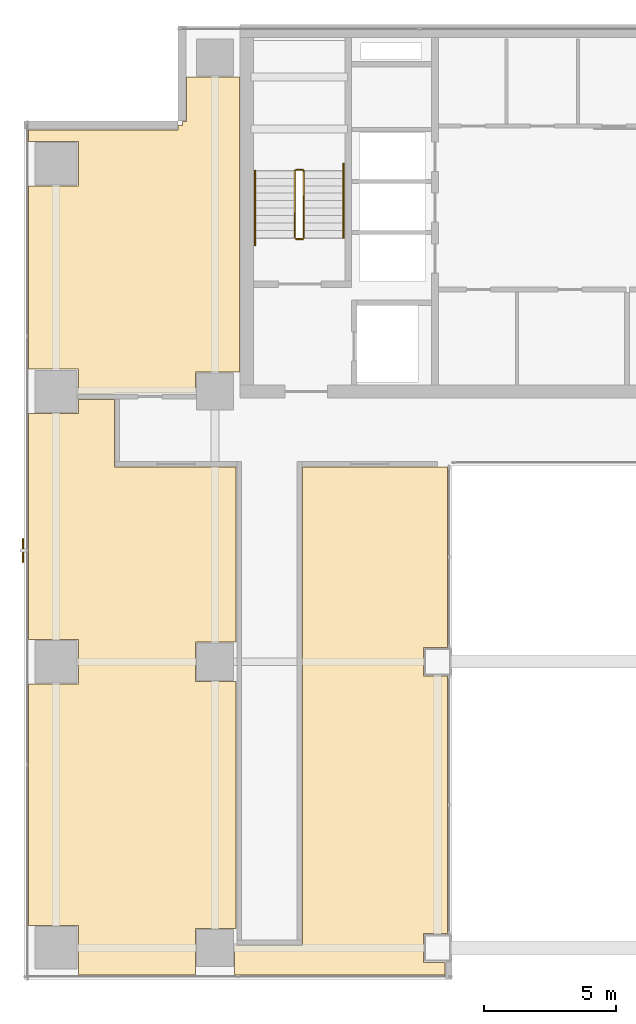
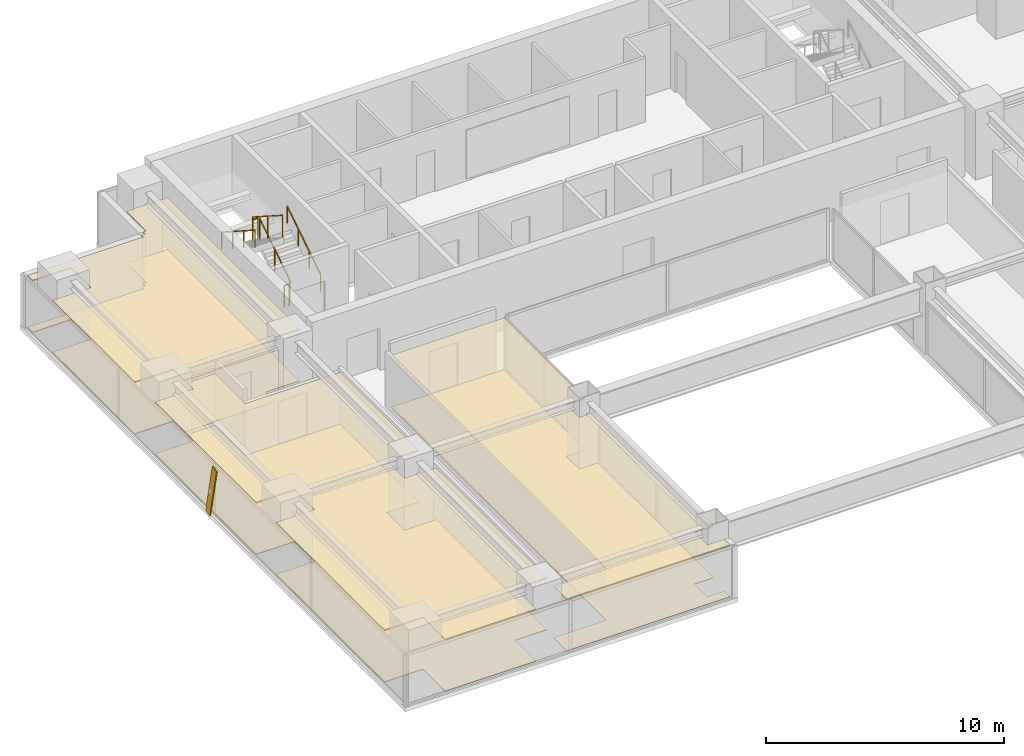
# One storey, part 29 of 32: 6 coverings, 6 railings, 1 shading device.
"""IFC4 building model written with IfcOpenShell, lengths in metres."""

import ifcopenshell
import ifcopenshell.guid

model = None  # the IFC model being written
_history = None  # IfcOwnerHistory: only IFC2X3 demands one
_inside = {}  # id of a spatial element -> (the spatial element, [elements in it])
_under = {}  # id of a project, library or spatial element -> (it, [spatial elements below it])
_declared = {}  # id of a project -> (the project, [libraries it declares])
_typed = {}  # id of a type object -> (the type object, [elements of that type])
_made_of = {}  # id of a material, layer set ... -> (it, [elements and type objects made of it])


def new_model(schema):
    """Start an empty IFC model of exactly this schema.

    Asked for "IFC4X3", IfcOpenShell would pick the latest addendum, in which some entities
    have other attributes; the version numbers below select the first issue.
    IFC2X3 requires an IfcOwnerHistory on every rooted entity: one is made here for all.
    """
    global model, _history
    if schema == "IFC4X3":
        model = ifcopenshell.file(schema_version=(4, 3, 0, 0))
    else:
        model = ifcopenshell.file(schema=schema)
    _inside.clear()
    _under.clear()
    _declared.clear()
    _typed.clear()
    _made_of.clear()
    _history = None
    if model.schema == "IFC2X3":
        org = make("IfcOrganization", Name="unknown")
        user = make(
            "IfcPersonAndOrganization",
            ThePerson=make("IfcPerson", FamilyName="unknown"),
            TheOrganization=org,
        )
        app = make(
            "IfcApplication",
            ApplicationDeveloper=org,
            Version="unknown",
            ApplicationFullName="unknown",
            ApplicationIdentifier="unknown",
        )
        _history = make(
            "IfcOwnerHistory",
            OwningUser=user,
            OwningApplication=app,
            ChangeAction="ADDED",
            CreationDate=0,
        )
    return model


def make(cls, **values):
    """One entity of the class cls with the attributes given. An attribute that is None is left unset."""
    return model.create_entity(
        cls, **{name: value for name, value in values.items() if value is not None}
    )


def rooted(cls, **values):
    """An entity with a GlobalId (a new one), such as an element, a storey or a relation."""
    return make(cls, GlobalId=ifcopenshell.guid.new(), OwnerHistory=_history, **values)


def si_unit(unit_type, name, prefix=None):
    """IfcSIUnit, for example si_unit("LENGTHUNIT", "METRE", prefix="MILLI")."""
    return make("IfcSIUnit", UnitType=unit_type, Prefix=prefix, Name=name)


def assignment(units):
    """IfcUnitAssignment: the units of a project."""
    return None if units is None else make("IfcUnitAssignment", Units=units)


def point(xyz):
    """IfcCartesianPoint."""
    return None if xyz is None else make("IfcCartesianPoint", Coordinates=xyz)


def direction(xyz):
    """IfcDirection."""
    return None if xyz is None else make("IfcDirection", DirectionRatios=xyz)


def frame(location, z_axis=None, x_axis=None):
    """IfcAxis2Placement3D, a coordinate frame: its origin and axes. An axis left out is left unset."""
    return make(
        "IfcAxis2Placement3D",
        Location=point(location),
        Axis=direction(z_axis),
        RefDirection=direction(x_axis),
    )


def frame_2d(location, x_axis=None):
    """IfcAxis2Placement2D, a coordinate frame in the plane: its origin and x axis."""
    return make(
        "IfcAxis2Placement2D", Location=point(location), RefDirection=direction(x_axis)
    )


def origin():
    """The frame at (0, 0, 0) with its axes left unset."""
    return frame((0.0, 0.0, 0.0))


def origin_2d():
    """The frame at (0, 0) in the plane with its x axis left unset."""
    return frame_2d((0.0, 0.0))


def place(relative_to, where):
    """IfcLocalPlacement: puts the frame where relative to a parent placement (None: the world)."""
    return make(
        "IfcLocalPlacement", PlacementRelTo=relative_to, RelativePlacement=where
    )


def context(
    kind, dimensions, precision=None, world=None, true_north=None, identifier=None
):
    """IfcGeometricRepresentationContext, for example the 3D "Model" context."""
    return make(
        "IfcGeometricRepresentationContext",
        ContextIdentifier=identifier,
        ContextType=kind,
        CoordinateSpaceDimension=dimensions,
        Precision=precision,
        WorldCoordinateSystem=world,
        TrueNorth=true_north,
    )


def subcontext(parent, identifier, kind, view, scale=None):
    """IfcGeometricRepresentationSubContext, for example "Body" below "Model"."""
    return make(
        "IfcGeometricRepresentationSubContext",
        ContextIdentifier=identifier,
        ContextType=kind,
        ParentContext=parent,
        TargetScale=scale,
        TargetView=view,
    )


def project(units=None, contexts=None):
    """IfcProject with its units and contexts."""
    return rooted(
        "IfcProject",
        Name="project",
        RepresentationContexts=contexts,
        UnitsInContext=assignment(units),
    )


def spatial(cls, under=None, at=None, **own):
    """A site, building, storey or space (cls), placed at a placement, below another one or the project."""
    s = rooted(cls, ObjectPlacement=at, **own)
    if under is not None:
        _under.setdefault(under.id(), (under, []))[1].append(s)
    return s


def polyline(points):
    """IfcPolyline through the points."""
    return make("IfcPolyline", Points=[point(p) for p in points])


def profile(cls, at=None, kind="AREA", **sizes):
    """A parametric profile (cls). Its sizes go by their IFC names, for example OverallWidth=200.0."""
    return make(cls, ProfileType=kind, Position=at, **sizes)


def rectangle(**sizes):
    """IfcRectangleProfileDef."""
    return profile("IfcRectangleProfileDef", **sizes)


def outline(outer, holes=None, kind="AREA"):
    """IfcArbitraryClosedProfileDef: a profile drawn as a closed curve; with holes, ...WithVoids."""
    if holes is None:
        return make("IfcArbitraryClosedProfileDef", ProfileType=kind, OuterCurve=outer)
    return make(
        "IfcArbitraryProfileDefWithVoids",
        ProfileType=kind,
        OuterCurve=outer,
        InnerCurves=holes,
    )


def extrude(swept, where, along, depth):
    """IfcExtrudedAreaSolid: the profile swept, set in the frame where, extruded along a direction by depth."""
    return make(
        "IfcExtrudedAreaSolid",
        SweptArea=swept,
        Position=where,
        ExtrudedDirection=direction(along),
        Depth=depth,
    )


def shape(context_of_items, identifier, shape_type, items):
    """IfcShapeRepresentation: the items that make up one representation, for example the "Body"."""
    return make(
        "IfcShapeRepresentation",
        ContextOfItems=context_of_items,
        RepresentationIdentifier=identifier,
        RepresentationType=shape_type,
        Items=items,
    )


def source(mapping_origin, context_of_items, identifier, shape_type, items):
    """IfcRepresentationMap: a shape defined once, which mapped items show again and again."""
    return make(
        "IfcRepresentationMap",
        MappingOrigin=mapping_origin,
        MappedRepresentation=shape(context_of_items, identifier, shape_type, items),
    )


def transform(
    local_origin,
    x_axis=None,
    y_axis=None,
    z_axis=None,
    scale=None,
    scale2=None,
    scale3=None,
    uniform=True,
):
    """IfcCartesianTransformationOperator3D, or its non-uniform kind. x_axis, y_axis, z_axis: its Axis1, 2, 3."""
    if uniform:
        return make(
            "IfcCartesianTransformationOperator3D",
            Axis1=direction(x_axis),
            Axis2=direction(y_axis),
            LocalOrigin=point(local_origin),
            Scale=scale,
            Axis3=direction(z_axis),
        )
    return make(
        "IfcCartesianTransformationOperator3DnonUniform",
        Axis1=direction(x_axis),
        Axis2=direction(y_axis),
        LocalOrigin=point(local_origin),
        Scale=scale,
        Axis3=direction(z_axis),
        Scale2=scale2,
        Scale3=scale3,
    )


def mapped(mapping_source, mapping_target):
    """IfcMappedItem: shows the shape of a source again, moved by a transform."""
    return make(
        "IfcMappedItem", MappingSource=mapping_source, MappingTarget=mapping_target
    )


def material(Name=None, Category=None):
    """IfcMaterial."""
    return make("IfcMaterial", Name=Name, Category=Category)


def layer(
    of_material, thickness, ventilated=None, Name=None, Category=None, Priority=None
):
    """IfcMaterialLayer: one layer of a wall or slab, of a material (None: an air gap)."""
    return make(
        "IfcMaterialLayer",
        Material=of_material,
        LayerThickness=thickness,
        IsVentilated=ventilated,
        Name=Name,
        Category=Category,
        Priority=Priority,
    )


def layer_set(layers, Name=None):
    """IfcMaterialLayerSet."""
    return make("IfcMaterialLayerSet", MaterialLayers=layers, LayerSetName=Name)


def material_profile(
    of_material, cross_section, Name=None, Category=None, Priority=None
):
    """IfcMaterialProfile: a cross section and its material."""
    return make(
        "IfcMaterialProfile",
        Name=Name,
        Material=of_material,
        Profile=cross_section,
        Priority=Priority,
        Category=Category,
    )


def profile_set(profiles, Name=None, composite=None):
    """IfcMaterialProfileSet."""
    return make(
        "IfcMaterialProfileSet",
        Name=Name,
        MaterialProfiles=profiles,
        CompositeProfile=composite,
    )


def made_of(thing, what):
    """Note that an element or type object is made of a material, layer set ...; save() writes the relation."""
    if what is not None:
        _made_of.setdefault(what.id(), (what, []))[1].append(thing)
    return thing


def type_object(cls, material=None, **own):
    """A type object (cls), such as IfcWallType, which elements share."""
    return made_of(rooted(cls, **own), material)


def element(
    cls,
    number,
    at=None,
    inside=None,
    cuts=None,
    type_object=None,
    material=None,
    context=None,
    identifier="Body",
    shape_type=None,
    held_by="IfcProductDefinitionShape",
    body=None,
    shapes=None,
    **own,
):
    """One element of the class cls, such as IfcWall. Its Tag is "e" and its number.

    at: its placement. inside: the storey or other place that contains it. cuts: it is an
    opening in that element (IfcRelVoidsElement). A single representation is given by context,
    identifier, shape_type and body (its items); several are given by shapes. held_by: the class
    of the entity that holds the representations. save() writes the other relations.
    """
    e = rooted(cls, Tag="e%d" % number, ObjectPlacement=at, **own)
    if body is not None:
        shapes = [shape(context, identifier, shape_type, body)]
    if shapes is not None:
        e.Representation = make(held_by, Representations=shapes)
    if inside is not None:
        _inside.setdefault(inside.id(), (inside, []))[1].append(e)
    if cuts is not None:
        rooted(
            "IfcRelVoidsElement", RelatingBuildingElement=cuts, RelatedOpeningElement=e
        )
    if type_object is not None:
        _typed.setdefault(type_object.id(), (type_object, []))[1].append(e)
    return made_of(e, material)


def aggregate(whole, parts):
    """IfcRelAggregates: a whole, such as a stair, and the parts it consists of."""
    return rooted("IfcRelAggregates", RelatingObject=whole, RelatedObjects=parts)


def save(model, path):
    """Write the relations noted so far, then the file.

    IfcRelAggregates (storeys below a building ...), IfcRelContainedInSpatialStructure (elements
    in a storey), IfcRelDefinesByType, IfcRelAssociatesMaterial and IfcRelDeclares: one each for
    every whole, place, type object, material and project.
    """
    for whole, parts in _under.values():
        aggregate(whole, parts)
    for where, things in _inside.values():
        rooted(
            "IfcRelContainedInSpatialStructure",
            RelatedElements=things,
            RelatingStructure=where,
        )
    for kind, things in _typed.values():
        rooted("IfcRelDefinesByType", RelatedObjects=things, RelatingType=kind)
    for what, things in _made_of.values():
        rooted("IfcRelAssociatesMaterial", RelatedObjects=things, RelatingMaterial=what)
    for by, libraries in _declared.values():
        rooted("IfcRelDeclares", RelatingContext=by, RelatedDefinitions=libraries)
    model.write(path)


model = new_model("IFC4")

# Units and contexts
model_context = context("Model", 3, precision=1e-05, world=origin(), true_north=direction((0.0, 1.0)))
body_context = subcontext(model_context, "Body", "Model", "MODEL_VIEW")
ifc_project = project(units=[si_unit("LENGTHUNIT", "METRE"), si_unit("AREAUNIT", "SQUARE_METRE"), si_unit("VOLUMEUNIT", "CUBIC_METRE"), si_unit("PLANEANGLEUNIT", "RADIAN"), si_unit("MASSUNIT", "GRAM", prefix="KILO")], contexts=[model_context])

# Site, building, storey
site_placement = place(None, origin())
site = spatial("IfcSite", under=ifc_project, at=site_placement, CompositionType="ELEMENT")
building_placement = place(site_placement, origin())
building = spatial("IfcBuilding", under=site, at=building_placement, Name="Sumidabori Civic Tower", CompositionType="ELEMENT")
storey_placement = place(building_placement, frame((0.0, 0.0, 225.199951171875)))
storey = spatial("IfcBuildingStorey", under=building, at=storey_placement, Name="L58", CompositionType="ELEMENT", Elevation=225.199951171875)

# Coverings
ifc_material_1 = material(Name="Gypsum Coffered Acoustic Ceiling")
ifc_layer_1 = layer(ifc_material_1, 0.06494140625, Name="Gypsum Coffered Acoustic Ceiling")
ifc_layer_set_1 = layer_set([ifc_layer_1], Name="Gypsum Coffered Acoustic Ceiling")
covering_type_1 = type_object("IfcCoveringType", Name="CV-CEIL-AC4", PredefinedType="CEILING", material=ifc_layer_set_1)
covering_1_placement = place(storey_placement, frame((0.0, 0.0, 2.630126953125)))
element("IfcCovering", 1, at=covering_1_placement, inside=storey, type_object=covering_type_1, Name="Room Acoustic Ceiling L58-01", PredefinedType="CEILING", context=body_context, shape_type="SweptSolid", body=[
    extrude(outline(polyline([(-23.830078125, 17.9599609375), (-21.9599609375, 17.9599609375), (-21.9599609375, 19.639892578125), (-23.830078125, 19.639892578125), (-23.830078125, 20.072021484375), (-18.19189453125, 20.072021484375), (-18.19189453125, 20.22998046875), (-18.030029296875, 20.22998046875), (-18.030029296875, 20.39208984375), (-17.8720703125, 20.39208984375), (-17.8720703125, 22.06005859375), (-15.8779296875, 22.06005859375), (-15.8779296875, 10.93994140625), (-17.5400390625, 10.93994140625), (-17.5400390625, 10.14990234375), (-20.60009765625, 10.14990234375), (-20.60009765625, 10.110107421875), (-21.9599609375, 10.110107421875), (-21.9599609375, 11.0400390625), (-23.830078125, 11.0400390625), (-23.830078125, 17.9599609375)])), origin(), (0.0, 0.0, 1.0), 0.06494140625),
])
covering_2_placement = place(storey_placement, frame((0.0, 0.0, 2.630126953125)))
element("IfcCovering", 2, at=covering_2_placement, inside=storey, type_object=covering_type_1, Name="Room Acoustic Ceiling L58-03", PredefinedType="CEILING", context=body_context, shape_type="SweptSolid", body=[
    extrude(outline(polyline([(-23.830078125, -0.840087890625), (-21.9599609375, -0.840087890625), (-21.9599609375, 0.840087890625), (-23.830078125, 0.840087890625), (-23.830078125, 9.360107421875), (-21.9599609375, 9.360107421875), (-21.9599609375, 9.889892578125), (-20.60009765625, 9.889892578125), (-20.60009765625, 7.35009765625), (-16.0, 7.35009765625), (-16.0, 0.739990234375), (-17.5400390625, 0.739990234375), (-17.5400390625, -0.739990234375), (-16.0, -0.739990234375), (-16.0, -10.06005859375), (-17.5400390625, -10.06005859375), (-17.5400390625, -11.830078125), (-21.9599609375, -11.830078125), (-21.9599609375, -9.9599609375), (-23.830078125, -9.9599609375), (-23.830078125, -0.840087890625)])), origin(), (0.0, 0.0, 1.0), 0.06494140625),
])
covering_3_placement = place(storey_placement, frame((0.0, 0.0, 2.630126953125)))
element("IfcCovering", 3, at=covering_3_placement, inside=storey, type_object=covering_type_1, Name="Room Acoustic Ceiling L58-05", PredefinedType="CEILING", context=body_context, shape_type="SweptSolid", body=[
    extrude(outline(polyline([(-16.06005859375, -10.699951171875), (-13.5, -10.699951171875), (-13.5, 7.35009765625), (-8.02001953125, 7.35009765625), (-8.02001953125, 0.5400390625), (-8.93994140625, 0.5400390625), (-8.93994140625, -0.5400390625), (-8.02001953125, -0.5400390625), (-8.02001953125, -10.260009765625), (-8.93994140625, -10.260009765625), (-8.93994140625, -11.340087890625), (-8.117919921875, -11.341796875), (-8.117919921875, -11.830078125), (-16.06005859375, -11.830078125), (-16.06005859375, -10.699951171875)])), origin(), (0.0, 0.0, 1.0), 0.06494140625),
])
ifc_material_2 = material(Name="Honed Terrazzo Tile Flooring")
ifc_layer_2 = layer(ifc_material_2, 0.030029296875, Name="Honed Terrazzo Tile Flooring")
ifc_layer_set_2 = layer_set([ifc_layer_2], Name="Honed Terrazzo Tile Flooring")
covering_type_2 = type_object("IfcCoveringType", Name="CV-FLR-TER", PredefinedType="FLOORING", material=ifc_layer_set_2)
covering_4_placement = place(storey_placement, origin())
element("IfcCovering", 4, at=covering_4_placement, inside=storey, type_object=covering_type_2, Name="Room Terrazzo Floor L58-01", PredefinedType="FLOORING", context=body_context, shape_type="SweptSolid", body=[
    extrude(outline(polyline([(-23.830078125, 17.9599609375), (-21.9599609375, 17.9599609375), (-21.9599609375, 19.639892578125), (-23.830078125, 19.639892578125), (-23.830078125, 20.072021484375), (-18.19189453125, 20.072021484375), (-18.19189453125, 20.22998046875), (-18.030029296875, 20.22998046875), (-18.030029296875, 20.39208984375), (-17.8720703125, 20.39208984375), (-17.8720703125, 22.06005859375), (-15.8779296875, 22.06005859375), (-15.8779296875, 10.93994140625), (-17.5400390625, 10.93994140625), (-17.5400390625, 10.14990234375), (-20.60009765625, 10.14990234375), (-20.60009765625, 10.110107421875), (-21.9599609375, 10.110107421875), (-21.9599609375, 11.0400390625), (-23.830078125, 11.0400390625), (-23.830078125, 17.9599609375)])), origin(), (0.0, 0.0, 1.0), 0.030029296875),
])
covering_5_placement = place(storey_placement, origin())
element("IfcCovering", 5, at=covering_5_placement, inside=storey, type_object=covering_type_2, Name="Room Terrazzo Floor L58-03", PredefinedType="FLOORING", context=body_context, shape_type="SweptSolid", body=[
    extrude(outline(polyline([(-23.830078125, -0.840087890625), (-21.9599609375, -0.840087890625), (-21.9599609375, 0.840087890625), (-23.830078125, 0.840087890625), (-23.830078125, 9.360107421875), (-21.9599609375, 9.360107421875), (-21.9599609375, 9.889892578125), (-20.60009765625, 9.889892578125), (-20.60009765625, 7.35009765625), (-16.0, 7.35009765625), (-16.0, 0.739990234375), (-17.5400390625, 0.739990234375), (-17.5400390625, -0.739990234375), (-16.0, -0.739990234375), (-16.0, -10.06005859375), (-17.5400390625, -10.06005859375), (-17.5400390625, -11.830078125), (-21.9599609375, -11.830078125), (-21.9599609375, -9.9599609375), (-23.830078125, -9.9599609375), (-23.830078125, -0.840087890625)])), origin(), (0.0, 0.0, 1.0), 0.030029296875),
])
covering_6_placement = place(storey_placement, origin())
element("IfcCovering", 6, at=covering_6_placement, inside=storey, type_object=covering_type_2, Name="Room Terrazzo Floor L58-05", PredefinedType="FLOORING", context=body_context, shape_type="SweptSolid", body=[
    extrude(outline(polyline([(-16.06005859375, -10.699951171875), (-13.5, -10.699951171875), (-13.5, 7.35009765625), (-8.02001953125, 7.35009765625), (-8.02001953125, 0.5400390625), (-8.93994140625, 0.5400390625), (-8.93994140625, -0.5400390625), (-8.02001953125, -0.5400390625), (-8.02001953125, -10.260009765625), (-8.93994140625, -10.260009765625), (-8.93994140625, -11.340087890625), (-8.117919921875, -11.341796875), (-8.117919921875, -11.830078125), (-16.06005859375, -11.830078125), (-16.06005859375, -10.699951171875)])), origin(), (0.0, 0.0, 1.0), 0.030029296875),
])

# Railings
ifc_material_3 = material(Name="Stainless Steel Hairline Finish", Category="steel")
railing_type_1 = type_object("IfcRailingType", Name="RL-HANDRAIL", PredefinedType="HANDRAIL", material=ifc_material_3)
railing_1_placement = place(storey_placement, frame((-11.949951171875, 16.0, 0.179931640625)))
element("IfcRailing", 7, at=railing_1_placement, inside=storey, type_object=railing_type_1, Name="L58 ST-1 stair handrail 1", PredefinedType="HANDRAIL", context=body_context, shape_type="SweptSolid", body=[
    extrude(rectangle(XDim=0.048095703125, YDim=0.048095703125, at=origin_2d()), frame((0.0, 0.0, 0.8759765625), z_axis=(0.0, 0.84064222762, 0.54159084662), x_axis=(-1.0, 0.0, 0.0)), (0.0, 0.0, 1.0), 3.330810546875),
    extrude(rectangle(XDim=0.0419921875, YDim=0.0419921875, at=origin_2d()), origin(), (0.0, 0.0, 1.0), 0.851806640625),
    extrude(rectangle(XDim=0.0419921875, YDim=0.0419921875, at=origin_2d()), frame((0.0, 0.933349609375, 0.601318359375)), (0.0, 0.0, 1.0), 0.851806640625),
    extrude(rectangle(XDim=0.0419921875, YDim=0.0419921875, at=origin_2d()), frame((0.0, 1.86669921875, 1.20263671875)), (0.0, 0.0, 1.0), 0.851806640625),
    extrude(rectangle(XDim=0.0419921875, YDim=0.0419921875, at=origin_2d()), frame((0.0, 2.800048828125, 1.803955078125)), (0.0, 0.0, 1.0), 0.851806640625),
])
railing_2_placement = place(storey_placement, frame((-15.2900390625, 18.52001953125, 1.97998046875)))
element("IfcRailing", 8, at=railing_2_placement, inside=storey, type_object=railing_type_1, Name="L58 ST-1 stair handrail 2", PredefinedType="HANDRAIL", context=body_context, shape_type="SweptSolid", body=[
    extrude(rectangle(XDim=0.048095703125, YDim=0.048095703125, at=origin_2d()), frame((0.0, 0.0, 0.8759765625), z_axis=(0.0, -0.84064222762, 0.54159084662), x_axis=(1.0, 0.0, 0.0)), (0.0, 0.0, 1.0), 3.330810546875),
    extrude(rectangle(XDim=0.0419921875, YDim=0.0419921875, at=origin_2d()), origin(), (0.0, 0.0, 1.0), 0.851806640625),
    extrude(rectangle(XDim=0.0419921875, YDim=0.0419921875, at=origin_2d()), frame((0.0, -0.933349609375, 0.601318359375)), (0.0, 0.0, 1.0), 0.851806640625),
    extrude(rectangle(XDim=0.0419921875, YDim=0.0419921875, at=origin_2d()), frame((0.0, -1.86669921875, 1.20263671875)), (0.0, 0.0, 1.0), 0.851806640625),
    extrude(rectangle(XDim=0.0419921875, YDim=0.0419921875, at=origin_2d()), frame((0.0, -2.800048828125, 1.803955078125)), (0.0, 0.0, 1.0), 0.851806640625),
])
ifc_material_4 = material(Name="Steel SN490", Category="steel")
railing_type_2 = type_object("IfcRailingType", Name="RL-STAIR-GUARD", PredefinedType="GUARDRAIL", material=ifc_material_4)
railing_3_placement = place(storey_placement, frame((-13.449951171875, 16.0, 0.179931640625)))
element("IfcRailing", 9, at=railing_3_placement, inside=storey, type_object=railing_type_2, Name="L58 ST-1 stair guard 1", PredefinedType="GUARDRAIL", context=body_context, shape_type="SweptSolid", body=[
    extrude(rectangle(XDim=0.048095703125, YDim=0.048095703125, at=origin_2d()), frame((0.0, 0.0, 1.1259765625), z_axis=(0.0, 0.841162588446, 0.540782303519), x_axis=(-1.0, 0.0, 0.0)), (0.0, 0.0, 1.0), 2.995849609375),
    extrude(rectangle(XDim=0.0419921875, YDim=0.0419921875, at=origin_2d()), origin(), (0.0, 0.0, 1.0), 1.101806640625),
    extrude(rectangle(XDim=0.0419921875, YDim=0.0419921875, at=origin_2d()), frame((0.0, 1.260009765625, 0.81005859375)), (0.0, 0.0, 1.0), 1.101806640625),
    extrude(rectangle(XDim=0.0419921875, YDim=0.0419921875, at=origin_2d()), frame((0.0, 2.52001953125, 1.6201171875)), (0.0, 0.0, 1.0), 1.101806640625),
])
railing_4_placement = place(storey_placement, frame((-13.5, 18.570068359375, 1.800048828125)))
element("IfcRailing", 10, at=railing_4_placement, inside=storey, type_object=railing_type_2, Name="L58 ST-1 stair guard 2", PredefinedType="GUARDRAIL", context=body_context, shape_type="SweptSolid", body=[
    extrude(rectangle(XDim=0.048095703125, YDim=0.048095703125, at=origin_2d()), frame((0.0, 0.0, 1.1259765625), z_axis=(-1.0, 0.0, 0.0), x_axis=(0.0, -1.0, 0.0)), (0.0, 0.0, 1.0), 0.239990234375),
    extrude(rectangle(XDim=0.0419921875, YDim=0.0419921875, at=origin_2d()), origin(), (0.0, 0.0, 1.0), 1.101806640625),
    extrude(rectangle(XDim=0.0419921875, YDim=0.0419921875, at=origin_2d()), frame((-0.239990234375, 0.0, 0.0)), (0.0, 0.0, 1.0), 1.101806640625),
])
railing_5_placement = place(storey_placement, frame((-13.7900390625, 18.52001953125, 1.97998046875)))
element("IfcRailing", 11, at=railing_5_placement, inside=storey, type_object=railing_type_2, Name="L58 ST-1 stair guard 3", PredefinedType="GUARDRAIL", context=body_context, shape_type="SweptSolid", body=[
    extrude(rectangle(XDim=0.048095703125, YDim=0.048095703125, at=origin_2d()), frame((0.0, 0.0, 1.1259765625), z_axis=(0.0, -0.841162588446, 0.540782303519), x_axis=(1.0, 0.0, 0.0)), (0.0, 0.0, 1.0), 2.995849609375),
    extrude(rectangle(XDim=0.0419921875, YDim=0.0419921875, at=origin_2d()), origin(), (0.0, 0.0, 1.0), 1.101806640625),
    extrude(rectangle(XDim=0.0419921875, YDim=0.0419921875, at=origin_2d()), frame((0.0, -1.260009765625, 0.81005859375)), (0.0, 0.0, 1.0), 1.101806640625),
    extrude(rectangle(XDim=0.0419921875, YDim=0.0419921875, at=origin_2d()), frame((0.0, -2.52001953125, 1.6201171875)), (0.0, 0.0, 1.0), 1.101806640625),
])
railing_6_placement = place(storey_placement, frame((-13.5, 15.949951171875, 0.0)))
element("IfcRailing", 12, at=railing_6_placement, inside=storey, type_object=railing_type_2, Name="L58 ST-1 stair guard 4", PredefinedType="GUARDRAIL", context=body_context, shape_type="SweptSolid", body=[
    extrude(rectangle(XDim=0.048095703125, YDim=0.048095703125, at=origin_2d()), frame((0.0, 0.0, 1.1259765625), z_axis=(-1.0, 0.0, 0.0), x_axis=(0.0, -1.0, 0.0)), (0.0, 0.0, 1.0), 0.239990234375),
    extrude(rectangle(XDim=0.0419921875, YDim=0.0419921875, at=origin_2d()), origin(), (0.0, 0.0, 1.0), 1.101806640625),
    extrude(rectangle(XDim=0.0419921875, YDim=0.0419921875, at=origin_2d()), frame((-0.239990234375, 0.0, 0.0)), (0.0, 0.0, 1.0), 1.101806640625),
])

# Shading device
ifc_material_5 = material(Name="Anodised Bronze Aluminium AW-6063-T6", Category="aluminium")
ifc_material_profile = material_profile(ifc_material_5, rectangle(XDim=0.054931640625, YDim=0.360107421875, at=origin_2d()), Name="BRONZE FIN 360x55")
ifc_profile_set = profile_set([ifc_material_profile], Name="Anodised Bronze Aluminium AW-6063-T6")
shading_device_type = type_object("IfcShadingDeviceType", Name="SH-FIN-360", PredefinedType="USERDEFINED", material=ifc_profile_set)
shared_shape = source(origin(), body_context, "Body", "SweptSolid", [
    extrude(rectangle(XDim=0.054931640625, YDim=0.360107421875, at=origin_2d()), origin(), (0.0, 0.0, 1.0), 2.65966796875),
])
shading_device_placement = place(storey_placement, frame((-24.050048828125, 4.47998046875, 0.02001953125), z_axis=(0.0, -0.210569571613, 0.977578874317), x_axis=(-1.0, 0.0, 0.0)))
element("IfcShadingDevice", 13, at=shading_device_placement, inside=storey, type_object=shading_device_type, Name="Bronze Anodised Diagonal Fin L58-02", ObjectType="FIN", PredefinedType="USERDEFINED", context=body_context, shape_type="MappedRepresentation", body=[
    mapped(shared_shape, transform((0.0, 0.0, 0.0), x_axis=(1.0, 0.0, 0.0), y_axis=(0.0, 1.0, 0.0), z_axis=(0.0, 0.0, 1.0), scale=1.0)),
])

save(model, "model.ifc")
